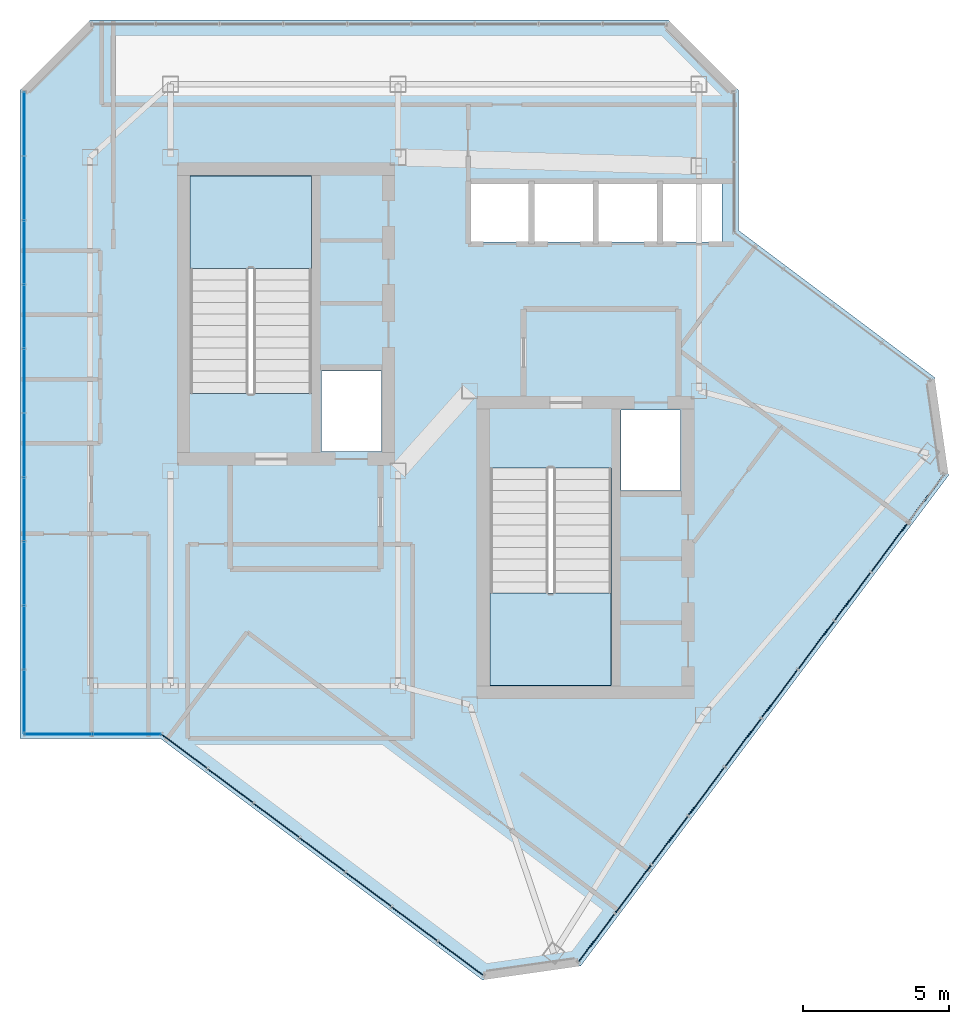
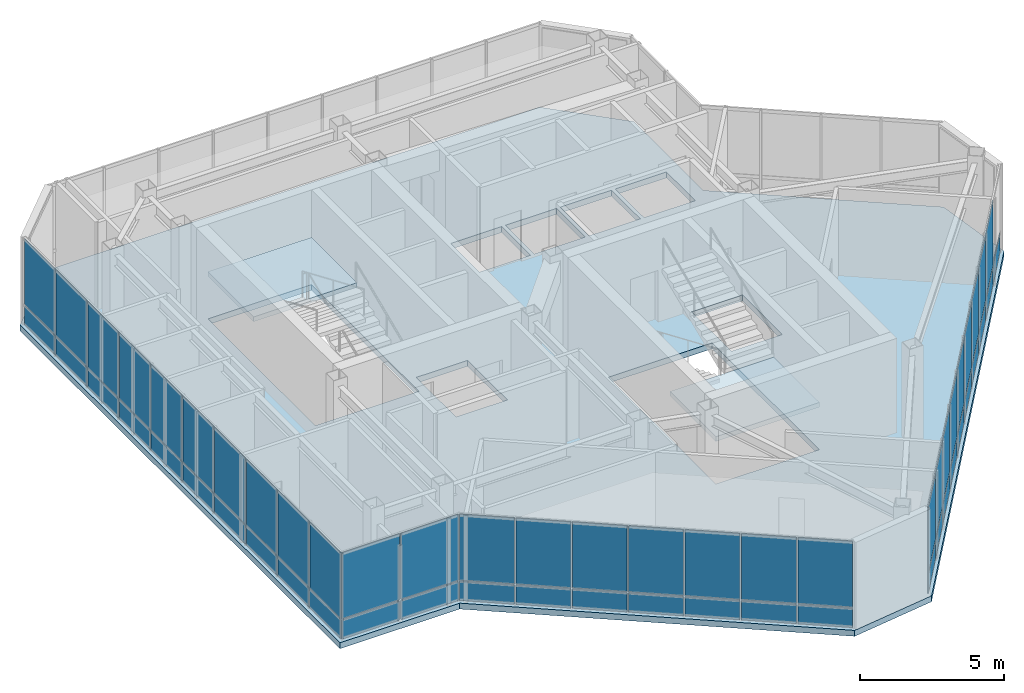
# One storey, part 19 of 24: 57 plates, 3 slabs, 6 elements without a shape of their own.
"""IFC4 building model written with IfcOpenShell, lengths in metres."""

from ifc_helpers import new_model, si_unit, direction, frame, origin, origin_2d, place, context, subcontext, project, spatial, polyline, rectangle, outline, extrude, material, layer, layer_set, type_object, element, aggregate, save


model = new_model("IFC4")

# Units and contexts
model_context = context("Model", 3, precision=1e-05, world=origin(), true_north=direction((0.0, 1.0)))
body_context = subcontext(model_context, "Body", "Model", "MODEL_VIEW")
ifc_project = project(units=[si_unit("LENGTHUNIT", "METRE"), si_unit("AREAUNIT", "SQUARE_METRE"), si_unit("VOLUMEUNIT", "CUBIC_METRE"), si_unit("PLANEANGLEUNIT", "RADIAN"), si_unit("MASSUNIT", "GRAM", prefix="KILO")], contexts=[model_context])

# Site, building, storey
site_placement = place(None, origin())
site = spatial("IfcSite", under=ifc_project, at=site_placement, CompositionType="ELEMENT")
building_placement = place(site_placement, origin())
building = spatial("IfcBuilding", under=site, at=building_placement, Name="Hatsunagi Terrace Concourse", CompositionType="ELEMENT")
storey_placement = place(building_placement, frame((0.0, 0.0, 285.949951171875)))
storey = spatial("IfcBuildingStorey", under=building, at=storey_placement, Name="L75", CompositionType="ELEMENT", Elevation=285.949951171875)

# Curtain wall, plates
ifc_material_1 = material(Name="Anodised Aluminium Alloy 6063-T5", Category="aluminium")
ifc_layer_1 = layer(ifc_material_1, 0.199951171875)
ifc_layer_set_1 = layer_set([ifc_layer_1], Name="CrownWintergarden_CW06")
curtain_wall_type = type_object("IfcCurtainWallType", Name="CrownWintergarden_CW06", PredefinedType="NOTDEFINED", material=ifc_layer_set_1)
curtain_wall_1_placement = place(storey_placement, origin())
curtain_wall_1 = element("IfcCurtainWall", 1, at=curtain_wall_1_placement, inside=storey, type_object=curtain_wall_type, Name="Unitised Curtain Wall CW-06 CW-L75-03", PredefinedType="NOTDEFINED")
ifc_material_2 = material(Name="Warm Terracotta Ceramic Spandrel Panel", Category="masonry")
ifc_layer_2 = layer(ifc_material_2, 0.031982421875)
ifc_layer_set_2 = layer_set([ifc_layer_2], Name="CurtainWallSpandrelPanel_32")
plate_type_1 = type_object("IfcPlateType", Name="CurtainWallSpandrelPanel_32", PredefinedType="SHEET", material=ifc_layer_set_2)
plate_1_placement = place(storey_placement, frame((51.426025390625, 31.60302734375, 0.030029296875), z_axis=(0.0, 0.0, 1.0), x_axis=(-0.599969314634, -0.800023013105, 0.0)))
plate_1 = element("IfcPlate", 2, at=plate_1_placement, type_object=plate_type_1, Name="Terracotta Spandrel Panel SPN-01", PredefinedType="SHEET", context=body_context, shape_type="SweptSolid", body=[
    extrude(rectangle(XDim=2.032958984375, YDim=0.031982421875, at=origin_2d()), origin(), (0.0, 0.0, 1.0), 0.7900390625),
])
plate_2_placement = place(storey_placement, frame((50.173095703125, 29.931884765625, 0.030029296875), z_axis=(0.0, 0.0, 1.0), x_axis=(-0.599969314634, -0.800023013105, 0.0)))
plate_2 = element("IfcPlate", 3, at=plate_2_placement, type_object=plate_type_1, Name="Terracotta Spandrel Panel SPN-01", PredefinedType="SHEET", context=body_context, shape_type="SweptSolid", body=[
    extrude(rectangle(XDim=2.032958984375, YDim=0.031982421875, at=origin_2d()), origin(), (0.0, 0.0, 1.0), 0.7900390625),
])
plate_3_placement = place(storey_placement, frame((48.919921875, 28.260986328125, 0.030029296875), z_axis=(0.0, 0.0, 1.0), x_axis=(-0.599969314634, -0.800023013105, 0.0)))
plate_3 = element("IfcPlate", 4, at=plate_3_placement, type_object=plate_type_1, Name="Terracotta Spandrel Panel SPN-01", PredefinedType="SHEET", context=body_context, shape_type="SweptSolid", body=[
    extrude(rectangle(XDim=2.032958984375, YDim=0.031982421875, at=origin_2d()), origin(), (0.0, 0.0, 1.0), 0.7900390625),
])
plate_4_placement = place(storey_placement, frame((47.6669921875, 26.590087890625, 0.030029296875), z_axis=(0.0, 0.0, 1.0), x_axis=(-0.599969314634, -0.800023013105, 0.0)))
plate_4 = element("IfcPlate", 5, at=plate_4_placement, type_object=plate_type_1, Name="Terracotta Spandrel Panel SPN-01", PredefinedType="SHEET", context=body_context, shape_type="SweptSolid", body=[
    extrude(rectangle(XDim=2.032958984375, YDim=0.031982421875, at=origin_2d()), origin(), (0.0, 0.0, 1.0), 0.7900390625),
])
plate_5_placement = place(storey_placement, frame((46.4140625, 24.9189453125, 0.030029296875), z_axis=(0.0, 0.0, 1.0), x_axis=(-0.599969314634, -0.800023013105, 0.0)))
plate_5 = element("IfcPlate", 6, at=plate_5_placement, type_object=plate_type_1, Name="Terracotta Spandrel Panel SPN-01", PredefinedType="SHEET", context=body_context, shape_type="SweptSolid", body=[
    extrude(rectangle(XDim=2.032958984375, YDim=0.031982421875, at=origin_2d()), origin(), (0.0, 0.0, 1.0), 0.7900390625),
])
plate_6_placement = place(storey_placement, frame((45.162109375, 23.2490234375, 0.030029296875), z_axis=(0.0, 0.0, 1.0), x_axis=(-0.599969314634, -0.800023013105, 0.0)))
plate_6 = element("IfcPlate", 7, at=plate_6_placement, type_object=plate_type_1, Name="Terracotta Spandrel Panel SPN-01", PredefinedType="SHEET", context=body_context, shape_type="SweptSolid", body=[
    extrude(rectangle(XDim=2.032958984375, YDim=0.031982421875, at=origin_2d()), origin(), (0.0, 0.0, 1.0), 0.7900390625),
])
plate_7_placement = place(storey_placement, frame((43.908935546875, 21.577880859375, 0.030029296875), z_axis=(0.0, 0.0, 1.0), x_axis=(-0.599969314634, -0.800023013105, 0.0)))
plate_7 = element("IfcPlate", 8, at=plate_7_placement, type_object=plate_type_1, Name="Terracotta Spandrel Panel SPN-01", PredefinedType="SHEET", context=body_context, shape_type="SweptSolid", body=[
    extrude(rectangle(XDim=2.032958984375, YDim=0.031982421875, at=origin_2d()), origin(), (0.0, 0.0, 1.0), 0.7900390625),
])
plate_8_placement = place(storey_placement, frame((42.656005859375, 19.906982421875, 0.030029296875), z_axis=(0.0, 0.0, 1.0), x_axis=(-0.599969314634, -0.800023013105, 0.0)))
plate_8 = element("IfcPlate", 9, at=plate_8_placement, type_object=plate_type_1, Name="Terracotta Spandrel Panel SPN-01", PredefinedType="SHEET", context=body_context, shape_type="SweptSolid", body=[
    extrude(rectangle(XDim=2.032958984375, YDim=0.031982421875, at=origin_2d()), origin(), (0.0, 0.0, 1.0), 0.7900390625),
])
plate_9_placement = place(storey_placement, frame((41.403076171875, 18.236083984375, 0.030029296875), z_axis=(0.0, 0.0, 1.0), x_axis=(-0.599969314634, -0.800023013105, 0.0)))
plate_9 = element("IfcPlate", 10, at=plate_9_placement, type_object=plate_type_1, Name="Terracotta Spandrel Panel SPN-01", PredefinedType="SHEET", context=body_context, shape_type="SweptSolid", body=[
    extrude(rectangle(XDim=2.032958984375, YDim=0.031982421875, at=origin_2d()), origin(), (0.0, 0.0, 1.0), 0.7900390625),
])
plate_10_placement = place(storey_placement, frame((40.14990234375, 16.56494140625, 0.030029296875), z_axis=(0.0, 0.0, 1.0), x_axis=(-0.599969314634, -0.800023013105, 0.0)))
plate_10 = element("IfcPlate", 11, at=plate_10_placement, type_object=plate_type_1, Name="Terracotta Spandrel Panel SPN-01", PredefinedType="SHEET", context=body_context, shape_type="SweptSolid", body=[
    extrude(rectangle(XDim=2.032958984375, YDim=0.031982421875, at=origin_2d()), origin(), (0.0, 0.0, 1.0), 0.7900390625),
])

curtain_wall_2_placement = place(storey_placement, origin())
curtain_wall_2 = element("IfcCurtainWall", 12, at=curtain_wall_2_placement, inside=storey, type_object=curtain_wall_type, Name="Unitised Curtain Wall CW-06 CW-L75-05", PredefinedType="NOTDEFINED")
plate_11_placement = place(storey_placement, frame((35.489990234375, 15.85791015625, 0.030029296875), z_axis=(0.0, 0.0, 1.0), x_axis=(-0.80000835285, 0.599988862705, 0.0)))
plate_11 = element("IfcPlate", 13, at=plate_11_placement, type_object=plate_type_1, Name="Terracotta Spandrel Panel SPN-01", PredefinedType="SHEET", context=body_context, shape_type="SweptSolid", body=[
    extrude(rectangle(XDim=1.9150390625, YDim=0.031982421875, at=origin_2d()), origin(), (0.0, 0.0, 1.0), 0.7900390625),
])
plate_12_placement = place(storey_placement, frame((33.9140625, 17.0400390625, 0.030029296875), z_axis=(0.0, 0.0, 1.0), x_axis=(-0.80000835285, 0.599988862705, 0.0)))
plate_12 = element("IfcPlate", 14, at=plate_12_placement, type_object=plate_type_1, Name="Terracotta Spandrel Panel SPN-01", PredefinedType="SHEET", context=body_context, shape_type="SweptSolid", body=[
    extrude(rectangle(XDim=1.9150390625, YDim=0.031982421875, at=origin_2d()), origin(), (0.0, 0.0, 1.0), 0.7900390625),
])
plate_13_placement = place(storey_placement, frame((32.337890625, 18.221923828125, 0.030029296875), z_axis=(0.0, 0.0, 1.0), x_axis=(-0.80000835285, 0.599988862705, 0.0)))
plate_13 = element("IfcPlate", 15, at=plate_13_placement, type_object=plate_type_1, Name="Terracotta Spandrel Panel SPN-01", PredefinedType="SHEET", context=body_context, shape_type="SweptSolid", body=[
    extrude(rectangle(XDim=1.9150390625, YDim=0.031982421875, at=origin_2d()), origin(), (0.0, 0.0, 1.0), 0.7900390625),
])
plate_14_placement = place(storey_placement, frame((30.761962890625, 19.404052734375, 0.030029296875), z_axis=(0.0, 0.0, 1.0), x_axis=(-0.80000835285, 0.599988862705, 0.0)))
plate_14 = element("IfcPlate", 16, at=plate_14_placement, type_object=plate_type_1, Name="Terracotta Spandrel Panel SPN-01", PredefinedType="SHEET", context=body_context, shape_type="SweptSolid", body=[
    extrude(rectangle(XDim=1.9150390625, YDim=0.031982421875, at=origin_2d()), origin(), (0.0, 0.0, 1.0), 0.7900390625),
])
plate_15_placement = place(storey_placement, frame((29.18701171875, 20.5849609375, 0.030029296875), z_axis=(0.0, 0.0, 1.0), x_axis=(-0.80000835285, 0.599988862705, 0.0)))
plate_15 = element("IfcPlate", 17, at=plate_15_placement, type_object=plate_type_1, Name="Terracotta Spandrel Panel SPN-01", PredefinedType="SHEET", context=body_context, shape_type="SweptSolid", body=[
    extrude(rectangle(XDim=1.9150390625, YDim=0.031982421875, at=origin_2d()), origin(), (0.0, 0.0, 1.0), 0.7900390625),
])
plate_16_placement = place(storey_placement, frame((27.611083984375, 21.76708984375, 0.030029296875), z_axis=(0.0, 0.0, 1.0), x_axis=(-0.80000835285, 0.599988862705, 0.0)))
plate_16 = element("IfcPlate", 18, at=plate_16_placement, type_object=plate_type_1, Name="Terracotta Spandrel Panel SPN-01", PredefinedType="SHEET", context=body_context, shape_type="SweptSolid", body=[
    extrude(rectangle(XDim=1.9150390625, YDim=0.031982421875, at=origin_2d()), origin(), (0.0, 0.0, 1.0), 0.7900390625),
])
plate_17_placement = place(storey_placement, frame((26.034912109375, 22.948974609375, 0.030029296875), z_axis=(0.0, 0.0, 1.0), x_axis=(-0.80000835285, 0.599988862705, 0.0)))
plate_17 = element("IfcPlate", 19, at=plate_17_placement, type_object=plate_type_1, Name="Terracotta Spandrel Panel SPN-01", PredefinedType="SHEET", context=body_context, shape_type="SweptSolid", body=[
    extrude(rectangle(XDim=1.9150390625, YDim=0.031982421875, at=origin_2d()), origin(), (0.0, 0.0, 1.0), 0.7900390625),
])

curtain_wall_3_placement = place(storey_placement, origin())
curtain_wall_3 = element("IfcCurtainWall", 20, at=curtain_wall_3_placement, inside=storey, type_object=curtain_wall_type, Name="Unitised Curtain Wall CW-06 CW-L75-06", PredefinedType="NOTDEFINED")
plate_18_placement = place(storey_placement, frame((24.070068359375, 23.5400390625, 0.030029296875), z_axis=(0.0, 0.0, 1.0), x_axis=(-1.0, 0.0, 0.0)))
plate_18 = element("IfcPlate", 21, at=plate_18_placement, type_object=plate_type_1, Name="Terracotta Spandrel Panel SPN-01", PredefinedType="SHEET", context=body_context, shape_type="SweptSolid", body=[
    extrude(rectangle(XDim=2.299072265625, YDim=0.031982421875, at=origin_2d()), origin(), (0.0, 0.0, 1.0), 0.7900390625),
])
plate_19_placement = place(storey_placement, frame((21.717041015625, 23.5400390625, 0.030029296875), z_axis=(0.0, 0.0, 1.0), x_axis=(-1.0, 0.0, 0.0)))
plate_19 = element("IfcPlate", 22, at=plate_19_placement, type_object=plate_type_1, Name="Terracotta Spandrel Panel SPN-01", PredefinedType="SHEET", context=body_context, shape_type="SweptSolid", body=[
    extrude(rectangle(XDim=2.299072265625, YDim=0.031982421875, at=origin_2d()), origin(), (0.0, 0.0, 1.0), 0.7900390625),
])

curtain_wall_4_placement = place(storey_placement, origin())
curtain_wall_4 = element("IfcCurtainWall", 23, at=curtain_wall_4_placement, inside=storey, type_object=curtain_wall_type, Name="Unitised Curtain Wall CW-06 CW-L75-07", PredefinedType="NOTDEFINED")
plate_20_placement = place(storey_placement, frame((20.5400390625, 24.639892578125, 0.030029296875), z_axis=(0.0, 0.0, 1.0), x_axis=(0.0, 1.0, 0.0)))
plate_20 = element("IfcPlate", 24, at=plate_20_placement, type_object=plate_type_1, Name="Terracotta Spandrel Panel SPN-01", PredefinedType="SHEET", context=body_context, shape_type="SweptSolid", body=[
    extrude(rectangle(XDim=2.14501953125, YDim=0.031982421875, at=origin_2d()), origin(), (0.0, 0.0, 1.0), 0.7900390625),
])
plate_21_placement = place(storey_placement, frame((20.5400390625, 26.840087890625, 0.030029296875), z_axis=(0.0, 0.0, 1.0), x_axis=(0.0, 1.0, 0.0)))
plate_21 = element("IfcPlate", 25, at=plate_21_placement, type_object=plate_type_1, Name="Terracotta Spandrel Panel SPN-01", PredefinedType="SHEET", context=body_context, shape_type="SweptSolid", body=[
    extrude(rectangle(XDim=2.14501953125, YDim=0.031982421875, at=origin_2d()), origin(), (0.0, 0.0, 1.0), 0.7900390625),
])
plate_22_placement = place(storey_placement, frame((20.5400390625, 29.041015625, 0.030029296875), z_axis=(0.0, 0.0, 1.0), x_axis=(0.0, 1.0, 0.0)))
plate_22 = element("IfcPlate", 26, at=plate_22_placement, type_object=plate_type_1, Name="Terracotta Spandrel Panel SPN-01", PredefinedType="SHEET", context=body_context, shape_type="SweptSolid", body=[
    extrude(rectangle(XDim=2.14501953125, YDim=0.031982421875, at=origin_2d()), origin(), (0.0, 0.0, 1.0), 0.7900390625),
])
plate_23_placement = place(storey_placement, frame((20.5400390625, 31.240966796875, 0.030029296875), z_axis=(0.0, 0.0, 1.0), x_axis=(0.0, 1.0, 0.0)))
plate_23 = element("IfcPlate", 27, at=plate_23_placement, type_object=plate_type_1, Name="Terracotta Spandrel Panel SPN-01", PredefinedType="SHEET", context=body_context, shape_type="SweptSolid", body=[
    extrude(rectangle(XDim=2.14501953125, YDim=0.031982421875, at=origin_2d()), origin(), (0.0, 0.0, 1.0), 0.7900390625),
])
plate_24_placement = place(storey_placement, frame((20.5400390625, 33.44091796875, 0.030029296875), z_axis=(0.0, 0.0, 1.0), x_axis=(0.0, 1.0, 0.0)))
plate_24 = element("IfcPlate", 28, at=plate_24_placement, type_object=plate_type_1, Name="Terracotta Spandrel Panel SPN-01", PredefinedType="SHEET", context=body_context, shape_type="SweptSolid", body=[
    extrude(rectangle(XDim=2.14501953125, YDim=0.031982421875, at=origin_2d()), origin(), (0.0, 0.0, 1.0), 0.7900390625),
])
plate_25_placement = place(storey_placement, frame((20.5400390625, 35.64111328125, 0.030029296875), z_axis=(0.0, 0.0, 1.0), x_axis=(0.0, 1.0, 0.0)))
plate_25 = element("IfcPlate", 29, at=plate_25_placement, type_object=plate_type_1, Name="Terracotta Spandrel Panel SPN-01", PredefinedType="SHEET", context=body_context, shape_type="SweptSolid", body=[
    extrude(rectangle(XDim=2.14501953125, YDim=0.031982421875, at=origin_2d()), origin(), (0.0, 0.0, 1.0), 0.7900390625),
])
plate_26_placement = place(storey_placement, frame((20.5400390625, 37.841064453125, 0.030029296875), z_axis=(0.0, 0.0, 1.0), x_axis=(0.0, 1.0, 0.0)))
plate_26 = element("IfcPlate", 30, at=plate_26_placement, type_object=plate_type_1, Name="Terracotta Spandrel Panel SPN-01", PredefinedType="SHEET", context=body_context, shape_type="SweptSolid", body=[
    extrude(rectangle(XDim=2.14501953125, YDim=0.031982421875, at=origin_2d()), origin(), (0.0, 0.0, 1.0), 0.7900390625),
])
plate_27_placement = place(storey_placement, frame((20.5400390625, 40.041015625, 0.030029296875), z_axis=(0.0, 0.0, 1.0), x_axis=(0.0, 1.0, 0.0)))
plate_27 = element("IfcPlate", 31, at=plate_27_placement, type_object=plate_type_1, Name="Terracotta Spandrel Panel SPN-01", PredefinedType="SHEET", context=body_context, shape_type="SweptSolid", body=[
    extrude(rectangle(XDim=2.14501953125, YDim=0.031982421875, at=origin_2d()), origin(), (0.0, 0.0, 1.0), 0.7900390625),
])
plate_28_placement = place(storey_placement, frame((20.5400390625, 42.241943359375, 0.030029296875), z_axis=(0.0, 0.0, 1.0), x_axis=(0.0, 1.0, 0.0)))
plate_28 = element("IfcPlate", 32, at=plate_28_placement, type_object=plate_type_1, Name="Terracotta Spandrel Panel SPN-01", PredefinedType="SHEET", context=body_context, shape_type="SweptSolid", body=[
    extrude(rectangle(XDim=2.14501953125, YDim=0.031982421875, at=origin_2d()), origin(), (0.0, 0.0, 1.0), 0.7900390625),
])
plate_29_placement = place(storey_placement, frame((20.5400390625, 44.44189453125, 0.030029296875), z_axis=(0.0, 0.0, 1.0), x_axis=(0.0, 1.0, 0.0)))
plate_29 = element("IfcPlate", 33, at=plate_29_placement, type_object=plate_type_1, Name="Terracotta Spandrel Panel SPN-01", PredefinedType="SHEET", context=body_context, shape_type="SweptSolid", body=[
    extrude(rectangle(XDim=2.14501953125, YDim=0.031982421875, at=origin_2d()), origin(), (0.0, 0.0, 1.0), 0.7900390625),
])

# Plate
ifc_material_3 = material(Name="Low-E Double Insulating Glass 28mm", Category="glass")
ifc_layer_3 = layer(ifc_material_3, 0.028076171875)
ifc_layer_set_3 = layer_set([ifc_layer_3], Name="CurtainWallVisionGlass_28")
plate_type_2 = type_object("IfcPlateType", Name="CurtainWallVisionGlass_28", PredefinedType="CURTAIN_PANEL", material=ifc_layer_set_3)
plate_30_placement = place(storey_placement, frame((50.173095703125, 29.931884765625, 0.880126953125), z_axis=(0.0, 0.0, 1.0), x_axis=(-0.599969314634, -0.800023013105, 0.0)))
plate_30 = element("IfcPlate", 34, at=plate_30_placement, type_object=plate_type_2, Name="Low-E Vision Glass Panel GLZ-01", PredefinedType="CURTAIN_PANEL", context=body_context, shape_type="SweptSolid", body=[
    extrude(rectangle(XDim=2.032958984375, YDim=0.028076171875, at=origin_2d()), origin(), (0.0, 0.0, 1.0), 2.7900390625),
])

plate_31_placement = place(storey_placement, frame((48.919921875, 28.260986328125, 0.880126953125), z_axis=(0.0, 0.0, 1.0), x_axis=(-0.599969314634, -0.800023013105, 0.0)))
plate_31 = element("IfcPlate", 35, at=plate_31_placement, type_object=plate_type_2, Name="Low-E Vision Glass Panel GLZ-01", PredefinedType="CURTAIN_PANEL", context=body_context, shape_type="SweptSolid", body=[
    extrude(rectangle(XDim=2.032958984375, YDim=0.028076171875, at=origin_2d()), origin(), (0.0, 0.0, 1.0), 2.7900390625),
])

plate_32_placement = place(storey_placement, frame((47.6669921875, 26.590087890625, 0.880126953125), z_axis=(0.0, 0.0, 1.0), x_axis=(-0.599969314634, -0.800023013105, 0.0)))
plate_32 = element("IfcPlate", 36, at=plate_32_placement, type_object=plate_type_2, Name="Low-E Vision Glass Panel GLZ-01", PredefinedType="CURTAIN_PANEL", context=body_context, shape_type="SweptSolid", body=[
    extrude(rectangle(XDim=2.032958984375, YDim=0.028076171875, at=origin_2d()), origin(), (0.0, 0.0, 1.0), 2.7900390625),
])

plate_33_placement = place(storey_placement, frame((46.4140625, 24.9189453125, 0.880126953125), z_axis=(0.0, 0.0, 1.0), x_axis=(-0.599969314634, -0.800023013105, 0.0)))
plate_33 = element("IfcPlate", 37, at=plate_33_placement, type_object=plate_type_2, Name="Low-E Vision Glass Panel GLZ-01", PredefinedType="CURTAIN_PANEL", context=body_context, shape_type="SweptSolid", body=[
    extrude(rectangle(XDim=2.032958984375, YDim=0.028076171875, at=origin_2d()), origin(), (0.0, 0.0, 1.0), 2.7900390625),
])

plate_34_placement = place(storey_placement, frame((45.162109375, 23.2490234375, 0.880126953125), z_axis=(0.0, 0.0, 1.0), x_axis=(-0.599969314634, -0.800023013105, 0.0)))
plate_34 = element("IfcPlate", 38, at=plate_34_placement, type_object=plate_type_2, Name="Low-E Vision Glass Panel GLZ-01", PredefinedType="CURTAIN_PANEL", context=body_context, shape_type="SweptSolid", body=[
    extrude(rectangle(XDim=2.032958984375, YDim=0.028076171875, at=origin_2d()), origin(), (0.0, 0.0, 1.0), 2.7900390625),
])

plate_35_placement = place(storey_placement, frame((43.908935546875, 21.577880859375, 0.880126953125), z_axis=(0.0, 0.0, 1.0), x_axis=(-0.599969314634, -0.800023013105, 0.0)))
plate_35 = element("IfcPlate", 39, at=plate_35_placement, type_object=plate_type_2, Name="Low-E Vision Glass Panel GLZ-01", PredefinedType="CURTAIN_PANEL", context=body_context, shape_type="SweptSolid", body=[
    extrude(rectangle(XDim=2.032958984375, YDim=0.028076171875, at=origin_2d()), origin(), (0.0, 0.0, 1.0), 2.7900390625),
])

plate_36_placement = place(storey_placement, frame((42.656005859375, 19.906982421875, 0.880126953125), z_axis=(0.0, 0.0, 1.0), x_axis=(-0.599969314634, -0.800023013105, 0.0)))
plate_36 = element("IfcPlate", 40, at=plate_36_placement, type_object=plate_type_2, Name="Low-E Vision Glass Panel GLZ-01", PredefinedType="CURTAIN_PANEL", context=body_context, shape_type="SweptSolid", body=[
    extrude(rectangle(XDim=2.032958984375, YDim=0.028076171875, at=origin_2d()), origin(), (0.0, 0.0, 1.0), 2.7900390625),
])

plate_37_placement = place(storey_placement, frame((41.403076171875, 18.236083984375, 0.880126953125), z_axis=(0.0, 0.0, 1.0), x_axis=(-0.599969314634, -0.800023013105, 0.0)))
plate_37 = element("IfcPlate", 41, at=plate_37_placement, type_object=plate_type_2, Name="Low-E Vision Glass Panel GLZ-01", PredefinedType="CURTAIN_PANEL", context=body_context, shape_type="SweptSolid", body=[
    extrude(rectangle(XDim=2.032958984375, YDim=0.028076171875, at=origin_2d()), origin(), (0.0, 0.0, 1.0), 2.7900390625),
])

plate_38_placement = place(storey_placement, frame((40.14990234375, 16.56494140625, 0.880126953125), z_axis=(0.0, 0.0, 1.0), x_axis=(-0.599969314634, -0.800023013105, 0.0)))
plate_38 = element("IfcPlate", 42, at=plate_38_placement, type_object=plate_type_2, Name="Low-E Vision Glass Panel GLZ-01", PredefinedType="CURTAIN_PANEL", context=body_context, shape_type="SweptSolid", body=[
    extrude(rectangle(XDim=2.032958984375, YDim=0.028076171875, at=origin_2d()), origin(), (0.0, 0.0, 1.0), 2.7900390625),
])

aggregate(curtain_wall_1, [plate_1, plate_2, plate_30, plate_3, plate_31, plate_4, plate_32, plate_5, plate_33, plate_6, plate_34, plate_7, plate_35, plate_8, plate_36, plate_9, plate_37, plate_10, plate_38])

plate_39_placement = place(storey_placement, frame((35.489990234375, 15.85791015625, 0.880126953125), z_axis=(0.0, 0.0, 1.0), x_axis=(-0.80000835285, 0.599988862705, 0.0)))
plate_39 = element("IfcPlate", 43, at=plate_39_placement, type_object=plate_type_2, Name="Low-E Vision Glass Panel GLZ-01", PredefinedType="CURTAIN_PANEL", context=body_context, shape_type="SweptSolid", body=[
    extrude(rectangle(XDim=1.9150390625, YDim=0.028076171875, at=origin_2d()), origin(), (0.0, 0.0, 1.0), 2.7900390625),
])

plate_40_placement = place(storey_placement, frame((33.9140625, 17.0400390625, 0.880126953125), z_axis=(0.0, 0.0, 1.0), x_axis=(-0.80000835285, 0.599988862705, 0.0)))
plate_40 = element("IfcPlate", 44, at=plate_40_placement, type_object=plate_type_2, Name="Low-E Vision Glass Panel GLZ-01", PredefinedType="CURTAIN_PANEL", context=body_context, shape_type="SweptSolid", body=[
    extrude(rectangle(XDim=1.9150390625, YDim=0.028076171875, at=origin_2d()), origin(), (0.0, 0.0, 1.0), 2.7900390625),
])

plate_41_placement = place(storey_placement, frame((32.337890625, 18.221923828125, 0.880126953125), z_axis=(0.0, 0.0, 1.0), x_axis=(-0.80000835285, 0.599988862705, 0.0)))
plate_41 = element("IfcPlate", 45, at=plate_41_placement, type_object=plate_type_2, Name="Low-E Vision Glass Panel GLZ-01", PredefinedType="CURTAIN_PANEL", context=body_context, shape_type="SweptSolid", body=[
    extrude(rectangle(XDim=1.9150390625, YDim=0.028076171875, at=origin_2d()), origin(), (0.0, 0.0, 1.0), 2.7900390625),
])

plate_42_placement = place(storey_placement, frame((30.761962890625, 19.404052734375, 0.880126953125), z_axis=(0.0, 0.0, 1.0), x_axis=(-0.80000835285, 0.599988862705, 0.0)))
plate_42 = element("IfcPlate", 46, at=plate_42_placement, type_object=plate_type_2, Name="Low-E Vision Glass Panel GLZ-01", PredefinedType="CURTAIN_PANEL", context=body_context, shape_type="SweptSolid", body=[
    extrude(rectangle(XDim=1.9150390625, YDim=0.028076171875, at=origin_2d()), origin(), (0.0, 0.0, 1.0), 2.7900390625),
])

plate_43_placement = place(storey_placement, frame((29.18701171875, 20.5849609375, 0.880126953125), z_axis=(0.0, 0.0, 1.0), x_axis=(-0.80000835285, 0.599988862705, 0.0)))
plate_43 = element("IfcPlate", 47, at=plate_43_placement, type_object=plate_type_2, Name="Low-E Vision Glass Panel GLZ-01", PredefinedType="CURTAIN_PANEL", context=body_context, shape_type="SweptSolid", body=[
    extrude(rectangle(XDim=1.9150390625, YDim=0.028076171875, at=origin_2d()), origin(), (0.0, 0.0, 1.0), 2.7900390625),
])

plate_44_placement = place(storey_placement, frame((27.611083984375, 21.76708984375, 0.880126953125), z_axis=(0.0, 0.0, 1.0), x_axis=(-0.80000835285, 0.599988862705, 0.0)))
plate_44 = element("IfcPlate", 48, at=plate_44_placement, type_object=plate_type_2, Name="Low-E Vision Glass Panel GLZ-01", PredefinedType="CURTAIN_PANEL", context=body_context, shape_type="SweptSolid", body=[
    extrude(rectangle(XDim=1.9150390625, YDim=0.028076171875, at=origin_2d()), origin(), (0.0, 0.0, 1.0), 2.7900390625),
])

plate_45_placement = place(storey_placement, frame((26.034912109375, 22.948974609375, 0.880126953125), z_axis=(0.0, 0.0, 1.0), x_axis=(-0.80000835285, 0.599988862705, 0.0)))
plate_45 = element("IfcPlate", 49, at=plate_45_placement, type_object=plate_type_2, Name="Low-E Vision Glass Panel GLZ-01", PredefinedType="CURTAIN_PANEL", context=body_context, shape_type="SweptSolid", body=[
    extrude(rectangle(XDim=1.9150390625, YDim=0.028076171875, at=origin_2d()), origin(), (0.0, 0.0, 1.0), 2.7900390625),
])

aggregate(curtain_wall_2, [plate_11, plate_39, plate_12, plate_40, plate_13, plate_41, plate_14, plate_42, plate_15, plate_43, plate_16, plate_44, plate_17, plate_45])

plate_46_placement = place(storey_placement, frame((24.070068359375, 23.5400390625, 0.880126953125), z_axis=(0.0, 0.0, 1.0), x_axis=(-1.0, 0.0, 0.0)))
plate_46 = element("IfcPlate", 50, at=plate_46_placement, type_object=plate_type_2, Name="Low-E Vision Glass Panel GLZ-01", PredefinedType="CURTAIN_PANEL", context=body_context, shape_type="SweptSolid", body=[
    extrude(rectangle(XDim=2.299072265625, YDim=0.028076171875, at=origin_2d()), origin(), (0.0, 0.0, 1.0), 2.7900390625),
])

plate_47_placement = place(storey_placement, frame((21.717041015625, 23.5400390625, 0.880126953125), z_axis=(0.0, 0.0, 1.0), x_axis=(-1.0, 0.0, 0.0)))
plate_47 = element("IfcPlate", 51, at=plate_47_placement, type_object=plate_type_2, Name="Low-E Vision Glass Panel GLZ-01", PredefinedType="CURTAIN_PANEL", context=body_context, shape_type="SweptSolid", body=[
    extrude(rectangle(XDim=2.299072265625, YDim=0.028076171875, at=origin_2d()), origin(), (0.0, 0.0, 1.0), 2.7900390625),
])

aggregate(curtain_wall_3, [plate_18, plate_46, plate_19, plate_47])

plate_48_placement = place(storey_placement, frame((20.5400390625, 24.639892578125, 0.880126953125), z_axis=(0.0, 0.0, 1.0), x_axis=(0.0, 1.0, 0.0)))
plate_48 = element("IfcPlate", 52, at=plate_48_placement, type_object=plate_type_2, Name="Low-E Vision Glass Panel GLZ-01", PredefinedType="CURTAIN_PANEL", context=body_context, shape_type="SweptSolid", body=[
    extrude(rectangle(XDim=2.14501953125, YDim=0.028076171875, at=origin_2d()), origin(), (0.0, 0.0, 1.0), 2.7900390625),
])

plate_49_placement = place(storey_placement, frame((20.5400390625, 26.840087890625, 0.880126953125), z_axis=(0.0, 0.0, 1.0), x_axis=(0.0, 1.0, 0.0)))
plate_49 = element("IfcPlate", 53, at=plate_49_placement, type_object=plate_type_2, Name="Low-E Vision Glass Panel GLZ-01", PredefinedType="CURTAIN_PANEL", context=body_context, shape_type="SweptSolid", body=[
    extrude(rectangle(XDim=2.14501953125, YDim=0.028076171875, at=origin_2d()), origin(), (0.0, 0.0, 1.0), 2.7900390625),
])

plate_50_placement = place(storey_placement, frame((20.5400390625, 29.041015625, 0.880126953125), z_axis=(0.0, 0.0, 1.0), x_axis=(0.0, 1.0, 0.0)))
plate_50 = element("IfcPlate", 54, at=plate_50_placement, type_object=plate_type_2, Name="Low-E Vision Glass Panel GLZ-01", PredefinedType="CURTAIN_PANEL", context=body_context, shape_type="SweptSolid", body=[
    extrude(rectangle(XDim=2.14501953125, YDim=0.028076171875, at=origin_2d()), origin(), (0.0, 0.0, 1.0), 2.7900390625),
])

plate_51_placement = place(storey_placement, frame((20.5400390625, 31.240966796875, 0.880126953125), z_axis=(0.0, 0.0, 1.0), x_axis=(0.0, 1.0, 0.0)))
plate_51 = element("IfcPlate", 55, at=plate_51_placement, type_object=plate_type_2, Name="Low-E Vision Glass Panel GLZ-01", PredefinedType="CURTAIN_PANEL", context=body_context, shape_type="SweptSolid", body=[
    extrude(rectangle(XDim=2.14501953125, YDim=0.028076171875, at=origin_2d()), origin(), (0.0, 0.0, 1.0), 2.7900390625),
])

plate_52_placement = place(storey_placement, frame((20.5400390625, 33.44091796875, 0.880126953125), z_axis=(0.0, 0.0, 1.0), x_axis=(0.0, 1.0, 0.0)))
plate_52 = element("IfcPlate", 56, at=plate_52_placement, type_object=plate_type_2, Name="Low-E Vision Glass Panel GLZ-01", PredefinedType="CURTAIN_PANEL", context=body_context, shape_type="SweptSolid", body=[
    extrude(rectangle(XDim=2.14501953125, YDim=0.028076171875, at=origin_2d()), origin(), (0.0, 0.0, 1.0), 2.7900390625),
])

plate_53_placement = place(storey_placement, frame((20.5400390625, 35.64111328125, 0.880126953125), z_axis=(0.0, 0.0, 1.0), x_axis=(0.0, 1.0, 0.0)))
plate_53 = element("IfcPlate", 57, at=plate_53_placement, type_object=plate_type_2, Name="Low-E Vision Glass Panel GLZ-01", PredefinedType="CURTAIN_PANEL", context=body_context, shape_type="SweptSolid", body=[
    extrude(rectangle(XDim=2.14501953125, YDim=0.028076171875, at=origin_2d()), origin(), (0.0, 0.0, 1.0), 2.7900390625),
])

plate_54_placement = place(storey_placement, frame((20.5400390625, 37.841064453125, 0.880126953125), z_axis=(0.0, 0.0, 1.0), x_axis=(0.0, 1.0, 0.0)))
plate_54 = element("IfcPlate", 58, at=plate_54_placement, type_object=plate_type_2, Name="Low-E Vision Glass Panel GLZ-01", PredefinedType="CURTAIN_PANEL", context=body_context, shape_type="SweptSolid", body=[
    extrude(rectangle(XDim=2.14501953125, YDim=0.028076171875, at=origin_2d()), origin(), (0.0, 0.0, 1.0), 2.7900390625),
])

plate_55_placement = place(storey_placement, frame((20.5400390625, 40.041015625, 0.880126953125), z_axis=(0.0, 0.0, 1.0), x_axis=(0.0, 1.0, 0.0)))
plate_55 = element("IfcPlate", 59, at=plate_55_placement, type_object=plate_type_2, Name="Low-E Vision Glass Panel GLZ-01", PredefinedType="CURTAIN_PANEL", context=body_context, shape_type="SweptSolid", body=[
    extrude(rectangle(XDim=2.14501953125, YDim=0.028076171875, at=origin_2d()), origin(), (0.0, 0.0, 1.0), 2.7900390625),
])

plate_56_placement = place(storey_placement, frame((20.5400390625, 42.241943359375, 0.880126953125), z_axis=(0.0, 0.0, 1.0), x_axis=(0.0, 1.0, 0.0)))
plate_56 = element("IfcPlate", 60, at=plate_56_placement, type_object=plate_type_2, Name="Low-E Vision Glass Panel GLZ-01", PredefinedType="CURTAIN_PANEL", context=body_context, shape_type="SweptSolid", body=[
    extrude(rectangle(XDim=2.14501953125, YDim=0.028076171875, at=origin_2d()), origin(), (0.0, 0.0, 1.0), 2.7900390625),
])

plate_57_placement = place(storey_placement, frame((20.5400390625, 44.44189453125, 0.880126953125), z_axis=(0.0, 0.0, 1.0), x_axis=(0.0, 1.0, 0.0)))
plate_57 = element("IfcPlate", 61, at=plate_57_placement, type_object=plate_type_2, Name="Low-E Vision Glass Panel GLZ-01", PredefinedType="CURTAIN_PANEL", context=body_context, shape_type="SweptSolid", body=[
    extrude(rectangle(XDim=2.14501953125, YDim=0.028076171875, at=origin_2d()), origin(), (0.0, 0.0, 1.0), 2.7900390625),
])

aggregate(curtain_wall_4, [plate_20, plate_48, plate_21, plate_49, plate_22, plate_50, plate_23, plate_51, plate_24, plate_52, plate_25, plate_53, plate_26, plate_54, plate_27, plate_55, plate_28, plate_56, plate_29, plate_57])

# Stair, slab
ifc_material_4 = material(Name="Concrete Fc42", Category="concrete")
stair_type = type_object("IfcStairType", Name="DoglegExitStair_Tower2000_24R_167", PredefinedType="HALF_TURN_STAIR", material=ifc_material_4)
stair_1_placement = place(storey_placement, origin())
stair_1 = element("IfcStair", 62, at=stair_1_placement, inside=storey, type_object=stair_type, Name="L75 Core A Protected Exit Stair ST-A", PredefinedType="HALF_TURN_STAIR")
ifc_material_5 = material(Name="Concrete Fc42", Category="concrete")
ifc_layer_4 = layer(ifc_material_5, 0.199951171875)
ifc_layer_set_4 = layer_set([ifc_layer_4], Name="DoglegStairLanding_Tower2000")
slab_type_1 = type_object("IfcSlabType", Name="DoglegStairLanding_Tower2000", PredefinedType="LANDING", material=ifc_layer_set_4)
slab_1_placement = place(storey_placement, frame((0.0, 0.0, 1.800048828125)))
slab_1 = element("IfcSlab", 63, at=slab_1_placement, type_object=slab_type_1, Name="ST-A landing 1", PredefinedType="LANDING", context=body_context, shape_type="SweptSolid", body=[
    extrude(outline(polyline([(30.3798828125, 39.489990234375), (30.3798828125, 42.659912109375), (26.22998046875, 42.659912109375), (26.22998046875, 39.489990234375), (30.3798828125, 39.489990234375)])), origin(), (0.0, 0.0, 1.0), 0.199951171875),
])
aggregate(stair_1, [slab_1])

stair_2_placement = place(storey_placement, origin())
stair_2 = element("IfcStair", 64, at=stair_2_placement, inside=storey, type_object=stair_type, Name="L75 Core B Protected Exit Stair ST-B", PredefinedType="HALF_TURN_STAIR")
slab_2_placement = place(storey_placement, frame((0.0, 0.0, 1.800048828125)))
slab_2 = element("IfcSlab", 65, at=slab_2_placement, type_object=slab_type_1, Name="ST-B landing 1", PredefinedType="LANDING", context=body_context, shape_type="SweptSolid", body=[
    extrude(outline(polyline([(36.5, 28.3701171875), (36.5, 25.199951171875), (40.64990234375, 25.199951171875), (40.64990234375, 28.3701171875), (36.5, 28.3701171875)])), origin(), (0.0, 0.0, 1.0), 0.199951171875),
])
aggregate(stair_2, [slab_2])

# Slab
ifc_material_6 = material(Name="Concrete Fc42", Category="concrete")
ifc_layer_5 = layer(ifc_material_6, 0.25)
ifc_layer_set_5 = layer_set([ifc_layer_5], Name="OfficeCrownSlab_Fc42_250")
slab_type_2 = type_object("IfcSlabType", Name="OfficeCrownSlab_Fc42_250", PredefinedType="FLOOR", material=ifc_layer_set_5)
slab_3_placement = place(storey_placement, frame((0.0, 0.0, -0.25)))
element("IfcSlab", 66, at=slab_3_placement, inside=storey, type_object=slab_type_2, Name="Floor Slab SL-250 L75", PredefinedType="FLOOR", context=body_context, shape_type="SweptSolid", body=[
    extrude(outline(polyline([(45.0, 40.800048828125), (45.0, 45.60009765625), (42.60009765625, 48.0), (22.800048828125, 48.0), (20.39990234375, 45.60009765625), (20.39990234375, 23.39990234375), (25.199951171875, 23.39990234375), (36.239990234375, 15.1201171875), (39.60009765625, 15.60009765625), (52.199951171875, 32.39990234375), (51.719970703125, 35.760009765625), (45.0, 40.800048828125)]), holes=[polyline([(26.22998046875, 35.205078125), (30.3798828125, 35.205078125), (30.3798828125, 42.659912109375), (26.22998046875, 42.659912109375), (26.22998046875, 35.205078125)]), polyline([(36.5, 25.199951171875), (40.64990234375, 25.199951171875), (40.64990234375, 32.655029296875), (36.5, 32.655029296875), (36.5, 25.199951171875)]), polyline([(30.719970703125, 33.219970703125), (32.780029296875, 33.219970703125), (32.780029296875, 35.97998046875), (30.719970703125, 35.97998046875), (30.719970703125, 33.219970703125)]), polyline([(40.97998046875, 31.8798828125), (43.02001953125, 31.8798828125), (43.02001953125, 34.639892578125), (40.97998046875, 34.639892578125), (40.97998046875, 31.8798828125)]), polyline([(35.800048828125, 40.39990234375), (37.85009765625, 40.39990234375), (37.85009765625, 42.39990234375), (35.800048828125, 42.39990234375), (35.800048828125, 40.39990234375)]), polyline([(38.0, 40.39990234375), (40.050048828125, 40.39990234375), (40.050048828125, 42.39990234375), (38.0, 42.39990234375), (38.0, 40.39990234375)]), polyline([(40.199951171875, 40.39990234375), (42.25, 40.39990234375), (42.25, 42.39990234375), (40.199951171875, 42.39990234375), (40.199951171875, 40.39990234375)]), polyline([(42.39990234375, 40.39990234375), (44.449951171875, 40.39990234375), (44.449951171875, 42.39990234375), (42.39990234375, 42.39990234375), (42.39990234375, 40.39990234375)])]), origin(), (0.0, 0.0, 1.0), 0.25),
])

save(model, "model.ifc")
